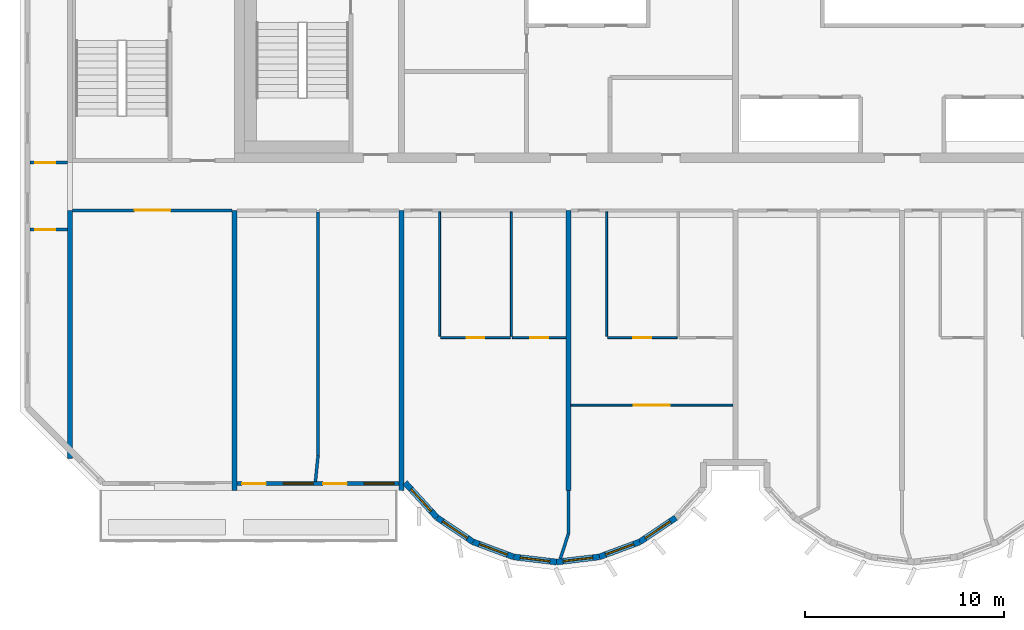
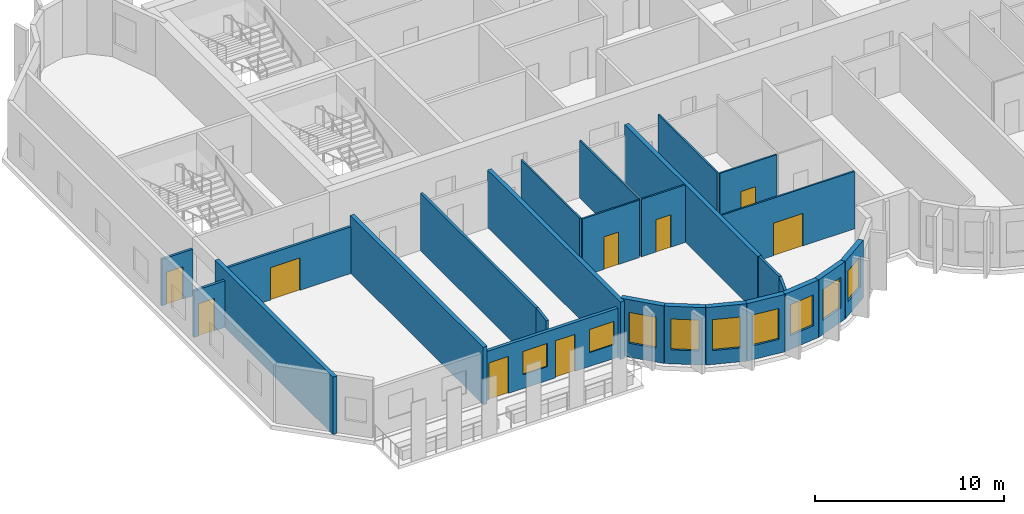
# One storey, part 2 of 12: 26 walls, 9 doors, 9 windows, 18 openings.
"""IFC4 building model written with IfcOpenShell, lengths in metres."""

from ifc_helpers import new_model, si_unit, direction, frame, frame_2d, origin, place, context, subcontext, project, spatial, rectangle, extrude, source, transform, mapped, material, layer, layer_set, type_object, element, fill, save


model = new_model("IFC4")

# Units and contexts
model_context = context("Model", 3, precision=1e-05, world=origin(), true_north=direction((0.0, 1.0)))
body_context = subcontext(model_context, "Body", "Model", "MODEL_VIEW")
ifc_project = project(units=[si_unit("LENGTHUNIT", "METRE"), si_unit("AREAUNIT", "SQUARE_METRE"), si_unit("VOLUMEUNIT", "CUBIC_METRE"), si_unit("PLANEANGLEUNIT", "RADIAN"), si_unit("MASSUNIT", "GRAM", prefix="KILO")], contexts=[model_context])

# Site, building, storey
site_placement = place(None, origin())
site = spatial("IfcSite", under=ifc_project, at=site_placement, CompositionType="ELEMENT")
building_placement = place(site_placement, origin())
building = spatial("IfcBuilding", under=site, at=building_placement, Name="Vanashikhar Sky Hotel", CompositionType="ELEMENT")
storey_placement = place(building_placement, frame((0.0, 0.0, 309.699951171875)))
storey = spatial("IfcBuildingStorey", under=building, at=storey_placement, Name="L74", CompositionType="ELEMENT", Elevation=309.699951171875)

# Walls
ifc_material_1 = material(Name="Concrete M50", Category="concrete")
ifc_layer_1 = layer(ifc_material_1, 0.25)
ifc_layer_set_1 = layer_set([ifc_layer_1], Name="RC shear wall 250 Concrete M50")
wall_type_1 = type_object("IfcWallType", Name="RC shear wall 250 Concrete M50", PredefinedType="SHEAR", material=ifc_layer_set_1)
shared_shape_1 = source(origin(), body_context, "Body", "SweptSolid", [
    extrude(rectangle(XDim=12.5, YDim=0.25, at=frame_2d((6.25, 0.0))), origin(), (0.0, 0.0, 1.0), 3.719970703125),
])
wall_1_placement = place(storey_placement, frame((16.925048828125, 7.10009765625, 0.0), z_axis=(0.0, 0.0, 1.0), x_axis=(0.0, 1.0, 0.0)))
element("IfcWall", 1, at=wall_1_placement, inside=storey, type_object=wall_type_1, Name="CW-L74-XW03-1", PredefinedType="SHEAR", context=body_context, shape_type="MappedRepresentation", body=[
    mapped(shared_shape_1, transform((0.0, 0.0, 0.0), scale=1.0)),
])
shared_shape_2 = source(origin(), body_context, "Body", "SweptSolid", [
    extrude(rectangle(XDim=14.10009765625, YDim=0.25, at=frame_2d((7.050048828125, 0.0))), origin(), (0.0, 0.0, 1.0), 3.719970703125),
])
for number, where, z_axis, x_axis, name in (
    (2, (25.199951171875, 5.5, 0.0), (0.0, 0.0, 1.0), (0.0, 1.0, 0.0), "CW-L74-XW04-1"),
    (3, (33.60009765625, 5.5, 0.0), (0.0, 0.0, 1.0), (0.0, 1.0, 0.0), "CW-L74-XW05-1"),
    (4, (42.0, 5.5, 0.0), (0.0, 0.0, 1.0), (0.0, 1.0, 0.0), "CW-L74-XW06-1"),
):
    element("IfcWall", number, at=place(storey_placement, frame(where, z_axis=z_axis, x_axis=x_axis)), inside=storey, type_object=wall_type_1, Name=name, PredefinedType="SHEAR", context=body_context, shape_type="MappedRepresentation", body=[
        mapped(shared_shape_2, transform((0.0, 0.0, 0.0), scale=1.0)),
    ])

# Wall, openings, windows, doors
ifc_layer_2 = layer(ifc_material_1, 0.199951171875)
ifc_layer_set_2 = layer_set([ifc_layer_2], Name="Front window wall 200")
wall_type_2 = type_object("IfcWallType", Name="Front window wall 200", PredefinedType="SOLIDWALL", material=ifc_layer_set_2)
shared_shape_3 = source(origin(), body_context, "Body", "SweptSolid", [
    extrude(rectangle(XDim=8.150146484375, YDim=0.199951171875, at=frame_2d((4.0751953125, 0.0))), origin(), (0.0, 0.0, 1.0), 3.170166015625),
])
wall_2_placement = place(storey_placement, frame((25.324951171875, 5.85009765625, 0.0), z_axis=(0.0, 0.0, 1.0), x_axis=(1.0, 0.0, 0.0)))
wall_2 = element("IfcWall", 5, at=wall_2_placement, inside=storey, type_object=wall_type_2, Name="Front window wall", PredefinedType="SOLIDWALL", context=body_context, shape_type="MappedRepresentation", body=[
    mapped(shared_shape_3, transform((0.0, 0.0, 0.0), scale=1.0)),
])
shared_shape_4 = source(origin(), body_context, "Body", "SweptSolid", [
    extrude(rectangle(XDim=1.199951171875, YDim=2.39990234375, at=frame_2d((0.60009765625, 1.199951171875))), frame((0.0, 0.10986328125, 0.0), z_axis=(0.0, -1.0, 0.0), x_axis=(1.0, 0.0, 0.0)), (0.0, 0.0, 1.0), 0.219970703125),
])
opening_1_placement = place(wall_2_placement, frame((0.25, 0.0, 0.0)))
opening_1 = element("IfcOpeningElement", 6, at=opening_1_placement, cuts=wall_2, Name="Opening BD-01", PredefinedType="OPENING", context=body_context, shape_type="MappedRepresentation", body=[
    mapped(shared_shape_4, transform((0.0, 0.0, 0.0), scale=1.0)),
])
shared_shape_5 = source(origin(), body_context, "Body", "SweptSolid", [
    extrude(rectangle(XDim=1.5, YDim=1.5, at=frame_2d((0.75, 0.75))), frame((0.0, 0.10986328125, 0.0), z_axis=(0.0, -1.0, 0.0), x_axis=(1.0, 0.0, 0.0)), (0.0, 0.0, 1.0), 0.219970703125),
])
opening_2_placement = place(wall_2_placement, frame((2.324951171875, 0.0, 0.89990234375)))
opening_2 = element("IfcOpeningElement", 7, at=opening_2_placement, cuts=wall_2, Name="Opening WN-1", PredefinedType="OPENING", context=body_context, shape_type="MappedRepresentation", body=[
    mapped(shared_shape_5, transform((0.0, 0.0, 0.0), scale=1.0)),
])
opening_3_placement = place(wall_2_placement, frame((4.324951171875, 0.0, 0.0)))
opening_3 = element("IfcOpeningElement", 8, at=opening_3_placement, cuts=wall_2, Name="Opening BD-02", PredefinedType="OPENING", context=body_context, shape_type="MappedRepresentation", body=[
    mapped(shared_shape_4, transform((0.0, 0.0, 0.0), scale=1.0)),
])
opening_4_placement = place(wall_2_placement, frame((6.39990234375, 0.0, 0.89990234375)))
opening_4 = element("IfcOpeningElement", 9, at=opening_4_placement, cuts=wall_2, Name="Opening WN-1", PredefinedType="OPENING", context=body_context, shape_type="MappedRepresentation", body=[
    mapped(shared_shape_5, transform((0.0, 0.0, 0.0), scale=1.0)),
])
ifc_material_2 = material(Name="Glass", Category="glass")
window_type_1 = type_object("IfcWindowType", Name="Window 1500 x 1500", PartitioningType="SINGLE_PANEL", PredefinedType="WINDOW", material=ifc_material_2)
shared_shape_6 = source(origin(), body_context, "Body", "SweptSolid", [
    extrude(rectangle(XDim=1.5, YDim=1.5, at=frame_2d((0.75, 0.75))), frame((0.0, 0.030029296875, 0.0), z_axis=(0.0, -1.0, 0.0), x_axis=(1.0, 0.0, 0.0)), (0.0, 0.0, 1.0), 0.06005859375),
])
window_1_placement = place(opening_2_placement, origin())
window_1 = element("IfcWindow", 10, at=window_1_placement, inside=storey, type_object=window_type_1, Name="Window WN-1", OverallHeight=1.5, OverallWidth=1.5, PartitioningType="SINGLE_PANEL", PredefinedType="WINDOW", context=body_context, shape_type="MappedRepresentation", body=[
    mapped(shared_shape_6, transform((0.0, 0.0, 0.0), scale=1.0)),
])
fill(opening_2, window_1)
window_2_placement = place(opening_4_placement, origin())
window_2 = element("IfcWindow", 11, at=window_2_placement, inside=storey, type_object=window_type_1, Name="Window WN-1", OverallHeight=1.5, OverallWidth=1.5, PartitioningType="SINGLE_PANEL", PredefinedType="WINDOW", context=body_context, shape_type="MappedRepresentation", body=[
    mapped(shared_shape_6, transform((0.0, 0.0, 0.0), scale=1.0)),
])
fill(opening_4, window_2)
ifc_material_3 = material(Name="Aluminium", Category="aluminium")
door_type_1 = type_object("IfcDoorType", Name="Balcony sliding door 1200 x 2400", OperationType="NOTDEFINED", PredefinedType="DOOR", material=ifc_material_3)
shared_shape_7 = source(origin(), body_context, "Body", "SweptSolid", [
    extrude(rectangle(XDim=1.199951171875, YDim=2.39990234375, at=frame_2d((0.60009765625, 1.199951171875))), frame((0.0, 0.02490234375, 0.0), z_axis=(0.0, -1.0, 0.0), x_axis=(1.0, 0.0, 0.0)), (0.0, 0.0, 1.0), 0.050048828125),
])
door_1_placement = place(opening_1_placement, origin())
door_1 = element("IfcDoor", 12, at=door_1_placement, inside=storey, type_object=door_type_1, Name="Balcony sliding door", OperationType="SLIDING_TO_LEFT", OverallHeight=2.39990234375, OverallWidth=1.199951171875, PredefinedType="DOOR", context=body_context, shape_type="MappedRepresentation", body=[
    mapped(shared_shape_7, transform((0.0, 0.0, 0.0), scale=1.0)),
])
fill(opening_1, door_1)
door_2_placement = place(opening_3_placement, origin())
door_2 = element("IfcDoor", 13, at=door_2_placement, inside=storey, type_object=door_type_1, Name="Balcony sliding door", OperationType="SLIDING_TO_RIGHT", OverallHeight=2.39990234375, OverallWidth=1.199951171875, PredefinedType="DOOR", context=body_context, shape_type="MappedRepresentation", body=[
    mapped(shared_shape_7, transform((0.0, 0.0, 0.0), scale=1.0)),
])
fill(opening_3, door_2)

# Wall, opening, window
ifc_layer_3 = layer(ifc_material_1, 0.300048828125)
ifc_layer_set_3 = layer_set([ifc_layer_3], Name="Lobe wall 300")
wall_type_3 = type_object("IfcWallType", Name="Lobe wall 300", PredefinedType="SOLIDWALL", material=ifc_layer_set_3)
shared_shape_8 = source(origin(), body_context, "Body", "SweptSolid", [
    extrude(rectangle(XDim=2.398193359375, YDim=0.300048828125, at=frame_2d((1.19921875, 0.0))), origin(), (0.0, 0.0, 1.0), 3.719970703125),
])
wall_3_placement = place(storey_placement, frame((33.776123046875, 5.89990234375, 0.0), z_axis=(0.0, 0.0, 1.0), x_axis=(0.675374189419, -0.737475222815, 0.0)))
wall_3 = element("IfcWall", 14, at=wall_3_placement, inside=storey, type_object=wall_type_3, Name="Lobe wall", PredefinedType="SOLIDWALL", context=body_context, shape_type="MappedRepresentation", body=[
    mapped(shared_shape_8, transform((0.0, 0.0, 0.0), scale=1.0)),
])
shared_shape_9 = source(origin(), body_context, "Body", "SweptSolid", [
    extrude(rectangle(XDim=1.5, YDim=2.0, at=frame_2d((0.75, 1.0))), frame((0.0, 0.16015625, 0.0), z_axis=(0.0, -1.0, 0.0), x_axis=(1.0, 0.0, 0.0)), (0.0, 0.0, 1.0), 0.320068359375),
])
opening_5_placement = place(wall_3_placement, frame((0.44921875, 0.0, 0.89990234375)))
opening_5 = element("IfcOpeningElement", 15, at=opening_5_placement, cuts=wall_3, Name="Opening WN-2", PredefinedType="OPENING", context=body_context, shape_type="MappedRepresentation", body=[
    mapped(shared_shape_9, transform((0.0, 0.0, 0.0), scale=1.0)),
])
window_type_2 = type_object("IfcWindowType", Name="Lobe window 1500 x 2000", PartitioningType="SINGLE_PANEL", PredefinedType="WINDOW", material=ifc_material_2)
shared_shape_10 = source(origin(), body_context, "Body", "SweptSolid", [
    extrude(rectangle(XDim=1.5, YDim=2.0, at=frame_2d((0.75, 1.0))), frame((0.0, 0.030029296875, 0.0), z_axis=(0.0, -1.0, 0.0), x_axis=(1.0, 0.0, 0.0)), (0.0, 0.0, 1.0), 0.06005859375),
])
window_3_placement = place(opening_5_placement, origin())
window_3 = element("IfcWindow", 16, at=window_3_placement, inside=storey, type_object=window_type_2, Name="Window WN-2", OverallHeight=2.0, OverallWidth=1.5, PartitioningType="SINGLE_PANEL", PredefinedType="WINDOW", context=body_context, shape_type="MappedRepresentation", body=[
    mapped(shared_shape_10, transform((0.0, 0.0, 0.0), scale=1.0)),
])
fill(opening_5, window_3)

shared_shape_11 = source(origin(), body_context, "Body", "SweptSolid", [
    extrude(rectangle(XDim=2.17578125, YDim=0.300048828125, at=frame_2d((1.087890625, 0.0))), origin(), (0.0, 0.0, 1.0), 3.719970703125),
])
wall_4_placement = place(storey_placement, frame((35.395751953125, 4.13134765625, 0.0), z_axis=(0.0, 0.0, 1.0), x_axis=(0.829590746428, -0.558371913192, 0.0)))
wall_4 = element("IfcWall", 17, at=wall_4_placement, inside=storey, type_object=wall_type_3, Name="Lobe wall", PredefinedType="SOLIDWALL", context=body_context, shape_type="MappedRepresentation", body=[
    mapped(shared_shape_11, transform((0.0, 0.0, 0.0), scale=1.0)),
])
opening_6_placement = place(wall_4_placement, frame((0.337890625, 0.0, 0.89990234375)))
opening_6 = element("IfcOpeningElement", 18, at=opening_6_placement, cuts=wall_4, Name="Opening WN-2", PredefinedType="OPENING", context=body_context, shape_type="MappedRepresentation", body=[
    mapped(shared_shape_9, transform((0.0, 0.0, 0.0), scale=1.0)),
])
window_4_placement = place(opening_6_placement, origin())
window_4 = element("IfcWindow", 19, at=window_4_placement, inside=storey, type_object=window_type_2, Name="Window WN-2", OverallHeight=2.0, OverallWidth=1.5, PartitioningType="SINGLE_PANEL", PredefinedType="WINDOW", context=body_context, shape_type="MappedRepresentation", body=[
    mapped(shared_shape_10, transform((0.0, 0.0, 0.0), scale=1.0)),
])
fill(opening_6, window_4)

wall_5_placement = place(storey_placement, frame((37.20068359375, 2.91650390625, 0.0), z_axis=(0.0, 0.0, 1.0), x_axis=(0.93754555999, -0.347862505801, 0.0)))
wall_5 = element("IfcWall", 20, at=wall_5_placement, inside=storey, type_object=wall_type_3, Name="Lobe wall", PredefinedType="SOLIDWALL", context=body_context, shape_type="MappedRepresentation", body=[
    mapped(shared_shape_11, transform((0.0, 0.0, 0.0), scale=1.0)),
])
opening_7_placement = place(wall_5_placement, frame((0.337890625, 0.0, 0.89990234375)))
opening_7 = element("IfcOpeningElement", 21, at=opening_7_placement, cuts=wall_5, Name="Opening WN-2", PredefinedType="OPENING", context=body_context, shape_type="MappedRepresentation", body=[
    mapped(shared_shape_9, transform((0.0, 0.0, 0.0), scale=1.0)),
])
window_5_placement = place(opening_7_placement, origin())
window_5 = element("IfcWindow", 22, at=window_5_placement, inside=storey, type_object=window_type_2, Name="Window WN-2", OverallHeight=2.0, OverallWidth=1.5, PartitioningType="SINGLE_PANEL", PredefinedType="WINDOW", context=body_context, shape_type="MappedRepresentation", body=[
    mapped(shared_shape_10, transform((0.0, 0.0, 0.0), scale=1.0)),
])
fill(opening_7, window_5)

wall_6_placement = place(storey_placement, frame((45.59912109375, 2.91650390625, 0.0), z_axis=(0.0, 0.0, 1.0), x_axis=(0.829625727223, 0.558319937607, 0.0)))
wall_6 = element("IfcWall", 23, at=wall_6_placement, inside=storey, type_object=wall_type_3, Name="Lobe wall", PredefinedType="SOLIDWALL", context=body_context, shape_type="MappedRepresentation", body=[
    mapped(shared_shape_11, transform((0.0, 0.0, 0.0), scale=1.0)),
])
opening_8_placement = place(wall_6_placement, frame((0.337890625, 0.0, 0.89990234375)))
opening_8 = element("IfcOpeningElement", 24, at=opening_8_placement, cuts=wall_6, Name="Opening WN-2", PredefinedType="OPENING", context=body_context, shape_type="MappedRepresentation", body=[
    mapped(shared_shape_9, transform((0.0, 0.0, 0.0), scale=1.0)),
])
window_6_placement = place(opening_8_placement, origin())
window_6 = element("IfcWindow", 25, at=window_6_placement, inside=storey, type_object=window_type_2, Name="Window WN-2", OverallHeight=2.0, OverallWidth=1.5, PartitioningType="SINGLE_PANEL", PredefinedType="WINDOW", context=body_context, shape_type="MappedRepresentation", body=[
    mapped(shared_shape_10, transform((0.0, 0.0, 0.0), scale=1.0)),
])
fill(opening_8, window_6)

shared_shape_12 = source(origin(), body_context, "Body", "SweptSolid", [
    extrude(rectangle(XDim=2.174560546875, YDim=0.300048828125, at=frame_2d((1.08740234375, 0.0))), origin(), (0.0, 0.0, 1.0), 3.719970703125),
])
wall_7_placement = place(storey_placement, frame((39.240478515625, 2.15966796875, 0.0), z_axis=(0.0, 0.0, 1.0), x_axis=(0.993001132889, -0.118104826659, 0.0)))
wall_7 = element("IfcWall", 26, at=wall_7_placement, inside=storey, type_object=wall_type_3, Name="Lobe wall", PredefinedType="SOLIDWALL", context=body_context, shape_type="MappedRepresentation", body=[
    mapped(shared_shape_12, transform((0.0, 0.0, 0.0), scale=1.0)),
])
opening_9_placement = place(wall_7_placement, frame((0.33740234375, 0.0, 0.89990234375)))
opening_9 = element("IfcOpeningElement", 27, at=opening_9_placement, cuts=wall_7, Name="Opening WN-2", PredefinedType="OPENING", context=body_context, shape_type="MappedRepresentation", body=[
    mapped(shared_shape_9, transform((0.0, 0.0, 0.0), scale=1.0)),
])
window_7_placement = place(opening_9_placement, origin())
window_7 = element("IfcWindow", 28, at=window_7_placement, inside=storey, type_object=window_type_2, Name="Window WN-2", OverallHeight=2.0, OverallWidth=1.5, PartitioningType="SINGLE_PANEL", PredefinedType="WINDOW", context=body_context, shape_type="MappedRepresentation", body=[
    mapped(shared_shape_10, transform((0.0, 0.0, 0.0), scale=1.0)),
])
fill(opening_9, window_7)

shared_shape_13 = source(origin(), body_context, "Body", "SweptSolid", [
    extrude(rectangle(XDim=2.1748046875, YDim=0.300048828125, at=frame_2d((1.08740234375, 0.0))), origin(), (0.0, 0.0, 1.0), 3.719970703125),
])
wall_8_placement = place(storey_placement, frame((41.39990234375, 1.90283203125, 0.0), z_axis=(0.0, 0.0, 1.0), x_axis=(0.993002698611, 0.118091661648, 0.0)))
wall_8 = element("IfcWall", 29, at=wall_8_placement, inside=storey, type_object=wall_type_3, Name="Lobe wall", PredefinedType="SOLIDWALL", context=body_context, shape_type="MappedRepresentation", body=[
    mapped(shared_shape_13, transform((0.0, 0.0, 0.0), scale=1.0)),
])
opening_10_placement = place(wall_8_placement, frame((0.33740234375, 0.0, 0.89990234375)))
opening_10 = element("IfcOpeningElement", 30, at=opening_10_placement, cuts=wall_8, Name="Opening WN-2", PredefinedType="OPENING", context=body_context, shape_type="MappedRepresentation", body=[
    mapped(shared_shape_9, transform((0.0, 0.0, 0.0), scale=1.0)),
])
window_8_placement = place(opening_10_placement, origin())
window_8 = element("IfcWindow", 31, at=window_8_placement, inside=storey, type_object=window_type_2, Name="Window WN-2", OverallHeight=2.0, OverallWidth=1.5, PartitioningType="SINGLE_PANEL", PredefinedType="WINDOW", context=body_context, shape_type="MappedRepresentation", body=[
    mapped(shared_shape_10, transform((0.0, 0.0, 0.0), scale=1.0)),
])
fill(opening_10, window_8)

shared_shape_14 = source(origin(), body_context, "Body", "SweptSolid", [
    extrude(rectangle(XDim=2.175537109375, YDim=0.300048828125, at=frame_2d((1.087890625, 0.0))), origin(), (0.0, 0.0, 1.0), 3.719970703125),
])
wall_9_placement = place(storey_placement, frame((43.5595703125, 2.15966796875, 0.0), z_axis=(0.0, 0.0, 1.0), x_axis=(0.937531979054, 0.347899106424, 0.0)))
wall_9 = element("IfcWall", 32, at=wall_9_placement, inside=storey, type_object=wall_type_3, Name="Lobe wall", PredefinedType="SOLIDWALL", context=body_context, shape_type="MappedRepresentation", body=[
    mapped(shared_shape_14, transform((0.0, 0.0, 0.0), scale=1.0)),
])
opening_11_placement = place(wall_9_placement, frame((0.337890625, 0.0, 0.89990234375)))
opening_11 = element("IfcOpeningElement", 33, at=opening_11_placement, cuts=wall_9, Name="Opening WN-2", PredefinedType="OPENING", context=body_context, shape_type="MappedRepresentation", body=[
    mapped(shared_shape_9, transform((0.0, 0.0, 0.0), scale=1.0)),
])
window_9_placement = place(opening_11_placement, origin())
window_9 = element("IfcWindow", 34, at=window_9_placement, inside=storey, type_object=window_type_2, Name="Window WN-2", OverallHeight=2.0, OverallWidth=1.5, PartitioningType="SINGLE_PANEL", PredefinedType="WINDOW", context=body_context, shape_type="MappedRepresentation", body=[
    mapped(shared_shape_10, transform((0.0, 0.0, 0.0), scale=1.0)),
])
fill(opening_11, window_9)

# Walls
ifc_material_4 = material(Name="Gypsum plasterboard partition")
ifc_layer_4 = layer(ifc_material_4, 0.10009765625)
ifc_layer_set_4 = layer_set([ifc_layer_4], Name="Wet room partition 100")
wall_type_4 = type_object("IfcWallType", Name="Wet room partition 100", PredefinedType="PARTITIONING", material=ifc_layer_set_4)
shared_shape_15 = source(origin(), body_context, "Body", "SweptSolid", [
    extrude(rectangle(XDim=6.25, YDim=0.10009765625, at=frame_2d((3.125, 0.0))), origin(), (0.0, 0.0, 1.0), 3.719970703125),
])
for number, where, z_axis, x_axis, name in (
    (35, (35.52490234375, 13.27490234375, 0.0), (0.0, 0.0, 1.0), (0.0, 1.0, 0.0), "W-L74-PW005"),
    (36, (39.125, 13.27490234375, 0.0), (0.0, 0.0, 1.0), (0.0, 1.0, 0.0), "W-L74-PW006"),
    (37, (43.925048828125, 13.27490234375, 0.0), (0.0, 0.0, 1.0), (0.0, 1.0, 0.0), "W-L74-PW010"),
):
    element("IfcWall", number, at=place(storey_placement, frame(where, z_axis=z_axis, x_axis=x_axis)), inside=storey, type_object=wall_type_4, Name=name, PredefinedType="PARTITIONING", context=body_context, shape_type="MappedRepresentation", body=[
        mapped(shared_shape_15, transform((0.0, 0.0, 0.0), scale=1.0)),
    ])

# Wall, opening, door
shared_shape_16 = source(origin(), body_context, "Body", "SweptSolid", [
    extrude(rectangle(XDim=3.5, YDim=0.10009765625, at=frame_2d((1.75, 0.0))), origin(), (0.0, 0.0, 1.0), 3.719970703125),
])
wall_10_placement = place(storey_placement, frame((35.574951171875, 13.199951171875, 0.0), z_axis=(0.0, 0.0, 1.0), x_axis=(1.0, 0.0, 0.0)))
wall_10 = element("IfcWall", 38, at=wall_10_placement, inside=storey, type_object=wall_type_4, Name="W-L74-PW007", PredefinedType="PARTITIONING", context=body_context, shape_type="MappedRepresentation", body=[
    mapped(shared_shape_16, transform((0.0, 0.0, 0.0), scale=1.0)),
])
shared_shape_17 = source(origin(), body_context, "Body", "SweptSolid", [
    extrude(rectangle(XDim=0.89990234375, YDim=2.10009765625, at=frame_2d((0.449951171875, 1.050048828125))), frame((0.0, 0.06005859375, 0.0), z_axis=(0.0, -1.0, 0.0), x_axis=(1.0, 0.0, 0.0)), (0.0, 0.0, 1.0), 0.1201171875),
])
opening_12_placement = place(wall_10_placement, frame((1.300048828125, 0.0, 0.0)))
opening_12 = element("IfcOpeningElement", 39, at=opening_12_placement, cuts=wall_10, Name="Opening D-02", PredefinedType="OPENING", context=body_context, shape_type="MappedRepresentation", body=[
    mapped(shared_shape_17, transform((0.0, 0.0, 0.0), scale=1.0)),
])
ifc_material_5 = material(Name="Timber door", Category="wood")
door_type_2 = type_object("IfcDoorType", Name="Internal door 900", OperationType="NOTDEFINED", PredefinedType="DOOR", material=ifc_material_5)
shared_shape_18 = source(origin(), body_context, "Body", "SweptSolid", [
    extrude(rectangle(XDim=0.89990234375, YDim=2.10009765625, at=frame_2d((0.449951171875, 1.050048828125))), frame((0.0, 0.02490234375, 0.0), z_axis=(0.0, -1.0, 0.0), x_axis=(1.0, 0.0, 0.0)), (0.0, 0.0, 1.0), 0.050048828125),
])
door_3_placement = place(opening_12_placement, origin())
door_3 = element("IfcDoor", 40, at=door_3_placement, inside=storey, type_object=door_type_2, Name="D-L74-004", OperationType="SINGLE_SWING_LEFT", OverallHeight=2.10009765625, OverallWidth=0.89990234375, PredefinedType="DOOR", context=body_context, shape_type="MappedRepresentation", body=[
    mapped(shared_shape_18, transform((0.0, 0.0, 0.0), scale=1.0)),
])
fill(opening_12, door_3)

wall_11_placement = place(storey_placement, frame((43.97509765625, 13.199951171875, 0.0), z_axis=(0.0, 0.0, 1.0), x_axis=(1.0, 0.0, 0.0)))
wall_11 = element("IfcWall", 41, at=wall_11_placement, inside=storey, type_object=wall_type_4, Name="W-L74-PW012", PredefinedType="PARTITIONING", context=body_context, shape_type="MappedRepresentation", body=[
    mapped(shared_shape_16, transform((0.0, 0.0, 0.0), scale=1.0)),
])
opening_13_placement = place(wall_11_placement, frame((1.300048828125, 0.0, 0.0)))
opening_13 = element("IfcOpeningElement", 42, at=opening_13_placement, cuts=wall_11, Name="Opening D-02", PredefinedType="OPENING", context=body_context, shape_type="MappedRepresentation", body=[
    mapped(shared_shape_17, transform((0.0, 0.0, 0.0), scale=1.0)),
])
door_4_placement = place(opening_13_placement, origin())
door_4 = element("IfcDoor", 43, at=door_4_placement, inside=storey, type_object=door_type_2, Name="D-L74-007", OperationType="SINGLE_SWING_LEFT", OverallHeight=2.10009765625, OverallWidth=0.89990234375, PredefinedType="DOOR", context=body_context, shape_type="MappedRepresentation", body=[
    mapped(shared_shape_18, transform((0.0, 0.0, 0.0), scale=1.0)),
])
fill(opening_13, door_4)

ifc_layer_5 = layer(ifc_material_4, 0.14990234375)
ifc_layer_set_5 = layer_set([ifc_layer_5], Name="Corridor and demising partition 150")
wall_type_5 = type_object("IfcWallType", Name="Corridor and demising partition 150", PredefinedType="PARTITIONING", material=ifc_layer_set_5)
shared_shape_19 = source(origin(), body_context, "Body", "SweptSolid", [
    extrude(rectangle(XDim=8.02490234375, YDim=0.14990234375, at=frame_2d((4.012451171875, 0.0))), origin(), (0.0, 0.0, 1.0), 3.02001953125),
])
wall_12_placement = place(storey_placement, frame((17.050048828125, 19.60009765625, 0.0), z_axis=(0.0, 0.0, 1.0), x_axis=(1.0, 0.0, 0.0)))
wall_12 = element("IfcWall", 44, at=wall_12_placement, inside=storey, type_object=wall_type_5, Name="W-L74-PW001", PredefinedType="PARTITIONING", context=body_context, shape_type="MappedRepresentation", body=[
    mapped(shared_shape_19, transform((0.0, 0.0, 0.0), scale=1.0)),
])
shared_shape_20 = source(origin(), body_context, "Body", "SweptSolid", [
    extrude(rectangle(XDim=1.800048828125, YDim=2.10009765625, at=frame_2d((0.89990234375, 1.050048828125))), frame((0.0, 0.0849609375, 0.0), z_axis=(0.0, -1.0, 0.0), x_axis=(1.0, 0.0, 0.0)), (0.0, 0.0, 1.0), 0.169921875),
])
opening_14_placement = place(wall_12_placement, frame((3.113037109375, 0.0, 0.0)))
opening_14 = element("IfcOpeningElement", 45, at=opening_14_placement, cuts=wall_12, Name="Opening D-03", PredefinedType="OPENING", context=body_context, shape_type="MappedRepresentation", body=[
    mapped(shared_shape_20, transform((0.0, 0.0, 0.0), scale=1.0)),
])
ifc_material_6 = material(Name="Timber fire door", Category="wood")
door_type_3 = type_object("IfcDoorType", Name="Double leaf door 1800 FD30S", OperationType="NOTDEFINED", PredefinedType="DOOR", material=ifc_material_6)
shared_shape_21 = source(origin(), body_context, "Body", "SweptSolid", [
    extrude(rectangle(XDim=1.800048828125, YDim=2.10009765625, at=frame_2d((0.89990234375, 1.050048828125))), frame((0.0, 0.02490234375, 0.0), z_axis=(0.0, -1.0, 0.0), x_axis=(1.0, 0.0, 0.0)), (0.0, 0.0, 1.0), 0.050048828125),
])
door_5_placement = place(opening_14_placement, origin())
door_5 = element("IfcDoor", 46, at=door_5_placement, inside=storey, type_object=door_type_3, Name="D-L74-001", OperationType="DOUBLE_DOOR_SINGLE_SWING", OverallHeight=2.10009765625, OverallWidth=1.800048828125, PredefinedType="DOOR", context=body_context, shape_type="MappedRepresentation", body=[
    mapped(shared_shape_21, transform((0.0, 0.0, 0.0), scale=1.0)),
])
fill(opening_14, door_5)

shared_shape_22 = source(origin(), body_context, "Body", "SweptSolid", [
    extrude(rectangle(XDim=2.699951171875, YDim=0.10009765625, at=frame_2d((1.35009765625, 0.0))), origin(), (0.0, 0.0, 1.0), 3.719970703125),
])
wall_13_placement = place(storey_placement, frame((39.175048828125, 13.199951171875, 0.0), z_axis=(0.0, 0.0, 1.0), x_axis=(1.0, 0.0, 0.0)))
wall_13 = element("IfcWall", 47, at=wall_13_placement, inside=storey, type_object=wall_type_4, Name="W-L74-PW008", PredefinedType="PARTITIONING", context=body_context, shape_type="MappedRepresentation", body=[
    mapped(shared_shape_22, transform((0.0, 0.0, 0.0), scale=1.0)),
])
opening_15_placement = place(wall_13_placement, frame((0.89990234375, 0.0, 0.0)))
opening_15 = element("IfcOpeningElement", 48, at=opening_15_placement, cuts=wall_13, Name="Opening D-02", PredefinedType="OPENING", context=body_context, shape_type="MappedRepresentation", body=[
    mapped(shared_shape_17, transform((0.0, 0.0, 0.0), scale=1.0)),
])
door_6_placement = place(opening_15_placement, origin())
door_6 = element("IfcDoor", 49, at=door_6_placement, inside=storey, type_object=door_type_2, Name="D-L74-005", OperationType="SINGLE_SWING_LEFT", OverallHeight=2.10009765625, OverallWidth=0.89990234375, PredefinedType="DOOR", context=body_context, shape_type="MappedRepresentation", body=[
    mapped(shared_shape_18, transform((0.0, 0.0, 0.0), scale=1.0)),
])
fill(opening_15, door_6)

shared_shape_23 = source(origin(), body_context, "Body", "SweptSolid", [
    extrude(rectangle(XDim=8.14990234375, YDim=0.10009765625, at=frame_2d((4.074951171875, 0.0))), origin(), (0.0, 0.0, 1.0), 3.719970703125),
])
wall_14_placement = place(storey_placement, frame((42.125, 9.802001953125, 0.0), z_axis=(0.0, 0.0, 1.0), x_axis=(1.0, 0.0, 0.0)))
wall_14 = element("IfcWall", 50, at=wall_14_placement, inside=storey, type_object=wall_type_4, Name="W-L74-PW014", PredefinedType="PARTITIONING", context=body_context, shape_type="MappedRepresentation", body=[
    mapped(shared_shape_23, transform((0.0, 0.0, 0.0), scale=1.0)),
])
shared_shape_24 = source(origin(), body_context, "Body", "SweptSolid", [
    extrude(rectangle(XDim=1.800048828125, YDim=2.10009765625, at=frame_2d((0.89990234375, 1.050048828125))), frame((0.0, 0.06005859375, 0.0), z_axis=(0.0, -1.0, 0.0), x_axis=(1.0, 0.0, 0.0)), (0.0, 0.0, 1.0), 0.1201171875),
])
opening_16_placement = place(wall_14_placement, frame((3.175048828125, 0.0, 0.0)))
opening_16 = element("IfcOpeningElement", 51, at=opening_16_placement, cuts=wall_14, Name="Opening D-08", PredefinedType="OPENING", context=body_context, shape_type="MappedRepresentation", body=[
    mapped(shared_shape_24, transform((0.0, 0.0, 0.0), scale=1.0)),
])
door_type_4 = type_object("IfcDoorType", Name="Double leaf door 1800", OperationType="NOTDEFINED", PredefinedType="DOOR", material=ifc_material_5)
door_7_placement = place(opening_16_placement, origin())
door_7 = element("IfcDoor", 52, at=door_7_placement, inside=storey, type_object=door_type_4, Name="D-L74-009", OperationType="DOUBLE_DOOR_SINGLE_SWING", OverallHeight=2.10009765625, OverallWidth=1.800048828125, PredefinedType="DOOR", context=body_context, shape_type="MappedRepresentation", body=[
    mapped(shared_shape_21, transform((0.0, 0.0, 0.0), scale=1.0)),
])
fill(opening_16, door_7)

# Wall
shared_shape_25 = source(origin(), body_context, "Body", "SweptSolid", [
    extrude(rectangle(XDim=2.177978515625, YDim=0.14990234375, at=frame_2d((1.0888671875, 0.0))), origin(), (0.0, 0.0, 1.0), 3.719970703125),
])
wall_15_placement = place(storey_placement, frame((42.0, 3.322021484375, 0.0), z_axis=(0.0, 0.0, 1.0), x_axis=(0.0, 1.0, 0.0)))
element("IfcWall", 53, at=wall_15_placement, inside=storey, type_object=wall_type_5, Name="W-L74-PW038", PredefinedType="PARTITIONING", context=body_context, shape_type="MappedRepresentation", body=[
    mapped(shared_shape_25, transform((0.0, 0.0, 0.0), scale=1.0)),
])

# Wall, opening, door
shared_shape_26 = source(origin(), body_context, "Body", "SweptSolid", [
    extrude(rectangle(XDim=1.900146484375, YDim=0.14990234375, at=frame_2d((0.9501953125, 0.0))), origin(), (0.0, 0.0, 1.0), 3.02001953125),
])
wall_16_placement = place(storey_placement, frame((14.89990234375, 22.0, 0.0), z_axis=(0.0, 0.0, 1.0), x_axis=(1.0, 0.0, 0.0)))
wall_16 = element("IfcWall", 54, at=wall_16_placement, inside=storey, type_object=wall_type_5, Name="W-L74-PW040", PredefinedType="PARTITIONING", context=body_context, shape_type="MappedRepresentation", body=[
    mapped(shared_shape_26, transform((0.0, 0.0, 0.0), scale=1.0)),
])
shared_shape_27 = source(origin(), body_context, "Body", "SweptSolid", [
    extrude(rectangle(XDim=1.0, YDim=2.10009765625, at=frame_2d((0.5, 1.050048828125))), frame((0.0, 0.0849609375, 0.0), z_axis=(0.0, -1.0, 0.0), x_axis=(1.0, 0.0, 0.0)), (0.0, 0.0, 1.0), 0.169921875),
])
opening_17_placement = place(wall_16_placement, frame((0.27490234375, 0.0, 0.0)))
opening_17 = element("IfcOpeningElement", 55, at=opening_17_placement, cuts=wall_16, Name="Opening D-01", PredefinedType="OPENING", context=body_context, shape_type="MappedRepresentation", body=[
    mapped(shared_shape_27, transform((0.0, 0.0, 0.0), scale=1.0)),
])
door_type_5 = type_object("IfcDoorType", Name="Guest entry door 1000 FD30S", OperationType="NOTDEFINED", PredefinedType="DOOR", material=ifc_material_6)
shared_shape_28 = source(origin(), body_context, "Body", "SweptSolid", [
    extrude(rectangle(XDim=1.0, YDim=2.10009765625, at=frame_2d((0.5, 1.050048828125))), frame((0.0, 0.02490234375, 0.0), z_axis=(0.0, -1.0, 0.0), x_axis=(1.0, 0.0, 0.0)), (0.0, 0.0, 1.0), 0.050048828125),
])
door_8_placement = place(opening_17_placement, origin())
door_8 = element("IfcDoor", 56, at=door_8_placement, inside=storey, type_object=door_type_5, Name="D-L74-024", OperationType="SINGLE_SWING_LEFT", OverallHeight=2.10009765625, OverallWidth=1.0, PredefinedType="DOOR", context=body_context, shape_type="MappedRepresentation", body=[
    mapped(shared_shape_28, transform((0.0, 0.0, 0.0), scale=1.0)),
])
fill(opening_17, door_8)

wall_17_placement = place(storey_placement, frame((14.89990234375, 18.6279296875, 0.0), z_axis=(0.0, 0.0, 1.0), x_axis=(1.0, 0.0, 0.0)))
wall_17 = element("IfcWall", 57, at=wall_17_placement, inside=storey, type_object=wall_type_5, Name="W-L74-PW042", PredefinedType="PARTITIONING", context=body_context, shape_type="MappedRepresentation", body=[
    mapped(shared_shape_26, transform((0.0, 0.0, 0.0), scale=1.0)),
])
opening_18_placement = place(wall_17_placement, frame((0.27490234375, 0.0, 0.0)))
opening_18 = element("IfcOpeningElement", 58, at=opening_18_placement, cuts=wall_17, Name="Opening D-01", PredefinedType="OPENING", context=body_context, shape_type="MappedRepresentation", body=[
    mapped(shared_shape_27, transform((0.0, 0.0, 0.0), scale=1.0)),
])
door_9_placement = place(opening_18_placement, origin())
door_9 = element("IfcDoor", 59, at=door_9_placement, inside=storey, type_object=door_type_5, Name="D-L74-026", OperationType="SINGLE_SWING_LEFT", OverallHeight=2.10009765625, OverallWidth=1.0, PredefinedType="DOOR", context=body_context, shape_type="MappedRepresentation", body=[
    mapped(shared_shape_28, transform((0.0, 0.0, 0.0), scale=1.0)),
])
fill(opening_18, door_9)

# Walls
shared_shape_29 = source(origin(), body_context, "Body", "SweptSolid", [
    extrude(rectangle(XDim=1.308349609375, YDim=0.14990234375, at=frame_2d((0.654296875, 0.0))), origin(), (0.0, 0.0, 1.0), 3.719970703125),
])
wall_18_placement = place(storey_placement, frame((41.597900390625, 2.076904296875, 0.0), z_axis=(0.0, 0.0, 1.0), x_axis=(0.307313512187, 0.951608325535, 0.0)))
element("IfcWall", 60, at=wall_18_placement, inside=storey, type_object=wall_type_5, Name="W-L74-PW038B0", PredefinedType="PARTITIONING", context=body_context, shape_type="MappedRepresentation", body=[
    mapped(shared_shape_29, transform((0.0, 0.0, 0.0), scale=1.0)),
])
shared_shape_30 = source(origin(), body_context, "Body", "SweptSolid", [
    extrude(rectangle(XDim=12.27490234375, YDim=0.14990234375, at=frame_2d((6.137451171875, 0.0))), origin(), (0.0, 0.0, 1.0), 3.719970703125),
])
wall_19_placement = place(storey_placement, frame((29.39990234375, 7.25, 0.0), z_axis=(0.0, 0.0, 1.0), x_axis=(0.0, 1.0, 0.0)))
element("IfcWall", 61, at=wall_19_placement, inside=storey, type_object=wall_type_5, Name="W-L74-PW004", PredefinedType="PARTITIONING", context=body_context, shape_type="MappedRepresentation", body=[
    mapped(shared_shape_30, transform((0.0, 0.0, 0.0), scale=1.0)),
])
shared_shape_31 = source(origin(), body_context, "Body", "SweptSolid", [
    extrude(rectangle(XDim=1.306640625, YDim=0.14990234375, at=frame_2d((0.6533203125, 0.0))), origin(), (0.0, 0.0, 1.0), 3.719970703125),
])
wall_20_placement = place(storey_placement, frame((29.27001953125, 5.949951171875, 0.0), z_axis=(0.0, 0.0, 1.0), x_axis=(0.099411212066, 0.995046436562, 0.0)))
element("IfcWall", 62, at=wall_20_placement, inside=storey, type_object=wall_type_5, Name="W-L74-PW004B0", PredefinedType="PARTITIONING", context=body_context, shape_type="MappedRepresentation", body=[
    mapped(shared_shape_31, transform((0.0, 0.0, 0.0), scale=1.0)),
])

save(model, "model.ifc")
